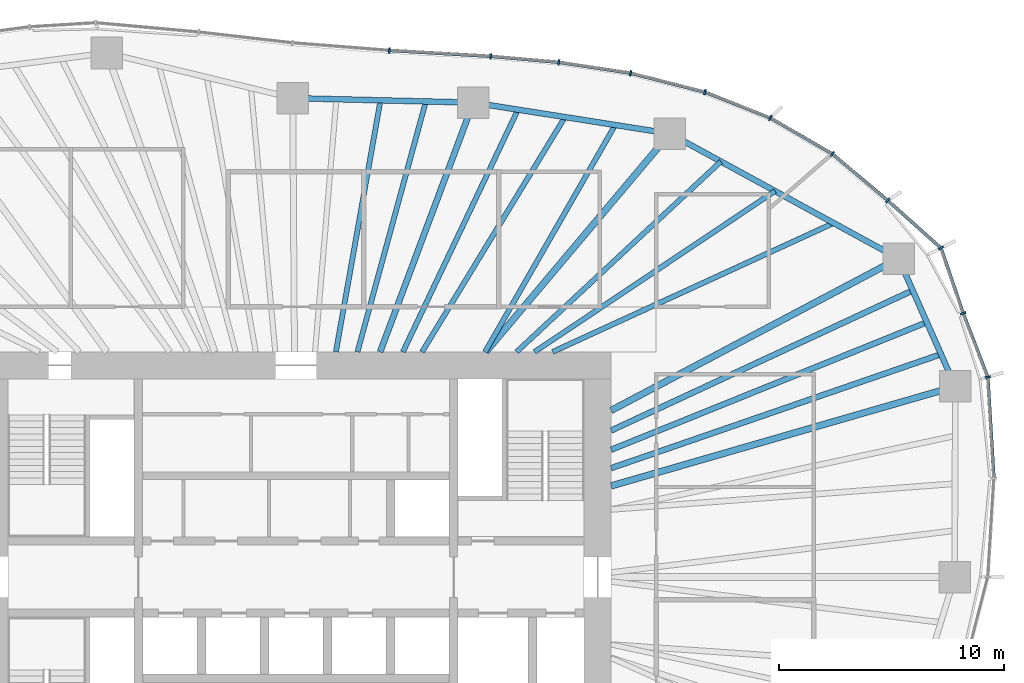
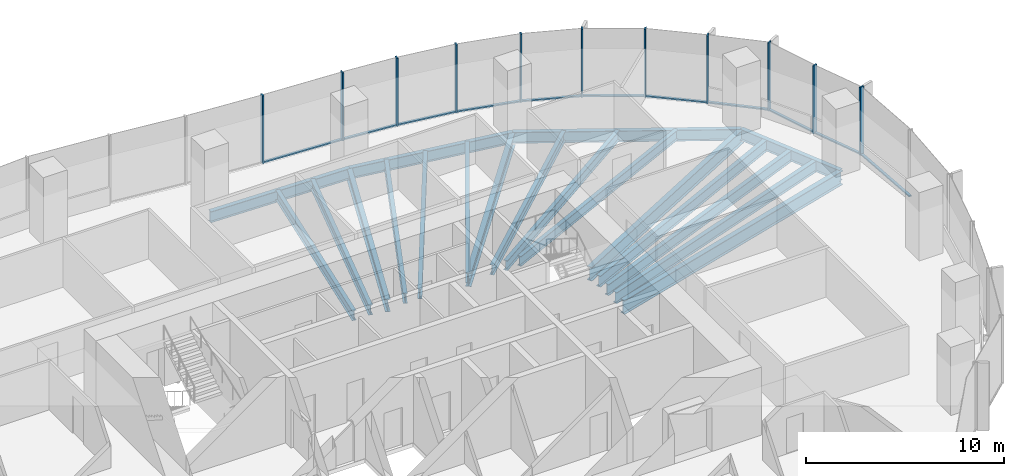
# One storey, part 6 of 18: 22 members, 19 beams, 5 elements without a shape of their own.
"""IFC4 building model written with IfcOpenShell, lengths in metres."""

from ifc_helpers import new_model, si_unit, direction, frame, origin, origin_2d, place, context, subcontext, project, spatial, rectangle, i_section, extrude, material, material_profile, profile_set, type_object, element, aggregate, save


model = new_model("IFC4")

# Units and contexts
model_context = context("Model", 3, precision=1e-05, world=origin(), true_north=direction((0.0, 1.0)))
body_context = subcontext(model_context, "Body", "Model", "MODEL_VIEW")
ifc_project = project(units=[si_unit("LENGTHUNIT", "METRE"), si_unit("AREAUNIT", "SQUARE_METRE"), si_unit("VOLUMEUNIT", "CUBIC_METRE"), si_unit("PLANEANGLEUNIT", "RADIAN"), si_unit("MASSUNIT", "GRAM", prefix="KILO")], contexts=[model_context])

# Site, building, storey
site_placement = place(None, origin())
site = spatial("IfcSite", under=ifc_project, at=site_placement, CompositionType="ELEMENT")
building_placement = place(site_placement, origin())
building = spatial("IfcBuilding", under=site, at=building_placement, Name="Ghaith Harvest Tower", CompositionType="ELEMENT")
storey_placement = place(building_placement, frame((0.0, 0.0, 155.39990234375)))
storey = spatial("IfcBuildingStorey", under=building, at=storey_placement, Name="L33", CompositionType="ELEMENT", Elevation=155.39990234375)

# Curtain wall, members
ifc_material_1 = material(Name="Black anodised aluminium and fritted glass", Category="aluminium")
curtain_wall_type = type_object("IfcCurtainWallType", Name="CW-L CURTAIN WALL", PredefinedType="NOTDEFINED", material=ifc_material_1)
curtain_wall_1_placement = place(storey_placement, origin())
curtain_wall_1 = element("IfcCurtainWall", 1, at=curtain_wall_1_placement, inside=storey, type_object=curtain_wall_type, Name="Curtain wall CW-L bay 02 L33", PredefinedType="NOTDEFINED")
ifc_material_2 = material(Name="Aluminium, black anodised", Category="aluminium")
ifc_material_profile_1 = material_profile(ifc_material_2, rectangle(XDim=0.080078125, YDim=0.239990234375, at=origin_2d()), Name="CW-L MULLION 80x240")
ifc_profile_set_1 = profile_set([ifc_material_profile_1], Name="Aluminium, black anodised")
member_type_1 = type_object("IfcMemberType", Name="CW-L MULLION 80x240", PredefinedType="MULLION", material=ifc_profile_set_1)
member_1_placement = place(storey_placement, frame((30.727294921875, 8.880859375, 0.0), z_axis=(0.0, 0.0, 1.0), x_axis=(-0.183070248196, 0.983099834313, 0.0)))
member_1 = element("IfcMember", 2, at=member_1_placement, type_object=member_type_1, Name="CW-L mullion 1 bay 02 L33", PredefinedType="MULLION", context=body_context, shape_type="SweptSolid", body=[
    extrude(rectangle(XDim=0.080078125, YDim=0.239990234375, at=origin_2d()), origin(), (0.0, 0.0, 1.0), 4.2001953125),
])
member_2_placement = place(storey_placement, frame((29.634521484375, 11.7158203125, 0.0), z_axis=(0.0, 0.0, 1.0), x_axis=(-0.340771198528, 0.940146260033, 0.0)))
member_2 = element("IfcMember", 3, at=member_2_placement, type_object=member_type_1, Name="CW-L mullion 2 bay 02 L33", PredefinedType="MULLION", context=body_context, shape_type="SweptSolid", body=[
    extrude(rectangle(XDim=0.080078125, YDim=0.239990234375, at=origin_2d()), origin(), (0.0, 0.0, 1.0), 4.2001953125),
])
member_3_placement = place(storey_placement, frame((28.64990234375, 14.61181640625, 0.0), z_axis=(0.0, 0.0, 1.0), x_axis=(-0.556324287652, 0.830965274225, 0.0)))
member_3 = element("IfcMember", 4, at=member_3_placement, type_object=member_type_1, Name="CW-L mullion 3 bay 02 L33", PredefinedType="MULLION", context=body_context, shape_type="SweptSolid", body=[
    extrude(rectangle(XDim=0.080078125, YDim=0.239990234375, at=origin_2d()), origin(), (0.0, 0.0, 1.0), 4.2001953125),
])

curtain_wall_2_placement = place(storey_placement, origin())
curtain_wall_2 = element("IfcCurtainWall", 5, at=curtain_wall_2_placement, inside=storey, type_object=curtain_wall_type, Name="Curtain wall CW-L bay 03 L33", PredefinedType="NOTDEFINED")
member_4_placement = place(storey_placement, frame((26.28076171875, 16.725341796875, 0.0), z_axis=(0.0, 0.0, 1.0), x_axis=(-0.755999423268, 0.654572281737, 0.0)))
member_4 = element("IfcMember", 6, at=member_4_placement, type_object=member_type_1, Name="CW-L mullion 1 bay 03 L33", PredefinedType="MULLION", context=body_context, shape_type="SweptSolid", body=[
    extrude(rectangle(XDim=0.080078125, YDim=0.239990234375, at=origin_2d()), origin(), (0.0, 0.0, 1.0), 4.2001953125),
])
member_5_placement = place(storey_placement, frame((23.82177734375, 18.792236328125, 0.0), z_axis=(0.0, 0.0, 1.0), x_axis=(-0.818228862146, 0.574892624018, 0.0)))
member_5 = element("IfcMember", 7, at=member_5_placement, type_object=member_type_1, Name="CW-L mullion 2 bay 03 L33", PredefinedType="MULLION", context=body_context, shape_type="SweptSolid", body=[
    extrude(rectangle(XDim=0.080078125, YDim=0.239990234375, at=origin_2d()), origin(), (0.0, 0.0, 1.0), 4.2001953125),
])
member_6_placement = place(storey_placement, frame((21.066162109375, 20.38916015625, 0.0), z_axis=(0.0, 0.0, 1.0), x_axis=(-0.899713343282, 0.436481270985, 0.0)))
member_6 = element("IfcMember", 8, at=member_6_placement, type_object=member_type_1, Name="CW-L mullion 3 bay 03 L33", PredefinedType="MULLION", context=body_context, shape_type="SweptSolid", body=[
    extrude(rectangle(XDim=0.080078125, YDim=0.239990234375, at=origin_2d()), origin(), (0.0, 0.0, 1.0), 4.2001953125),
])

curtain_wall_3_placement = place(storey_placement, origin())
curtain_wall_3 = element("IfcCurtainWall", 9, at=curtain_wall_3_placement, inside=storey, type_object=curtain_wall_type, Name="Curtain wall CW-L bay 04 L33", PredefinedType="NOTDEFINED")
member_7_placement = place(storey_placement, frame((18.162353515625, 21.537841796875, 0.0), z_axis=(0.0, 0.0, 1.0), x_axis=(-0.952152258113, 0.30562407852, 0.0)))
member_7 = element("IfcMember", 10, at=member_7_placement, type_object=member_type_1, Name="CW-L mullion 1 bay 04 L33", PredefinedType="MULLION", context=body_context, shape_type="SweptSolid", body=[
    extrude(rectangle(XDim=0.080078125, YDim=0.239990234375, at=origin_2d()), origin(), (0.0, 0.0, 1.0), 4.2001953125),
])
member_8_placement = place(storey_placement, frame((14.86474609375, 22.379638671875, 0.0), z_axis=(0.0, 0.0, 1.0), x_axis=(-0.979751952122, 0.200215165041, 0.0)))
member_8 = element("IfcMember", 11, at=member_8_placement, type_object=member_type_1, Name="CW-L mullion 2 bay 04 L33", PredefinedType="MULLION", context=body_context, shape_type="SweptSolid", body=[
    extrude(rectangle(XDim=0.080078125, YDim=0.239990234375, at=origin_2d()), origin(), (0.0, 0.0, 1.0), 4.2001953125),
])
member_9_placement = place(storey_placement, frame((11.672607421875, 22.864013671875, 0.0), z_axis=(0.0, 0.0, 1.0), x_axis=(-0.992800497873, 0.119779678673, 0.0)))
member_9 = element("IfcMember", 12, at=member_9_placement, type_object=member_type_1, Name="CW-L mullion 3 bay 04 L33", PredefinedType="MULLION", context=body_context, shape_type="SweptSolid", body=[
    extrude(rectangle(XDim=0.080078125, YDim=0.239990234375, at=origin_2d()), origin(), (0.0, 0.0, 1.0), 4.2001953125),
])

curtain_wall_4_placement = place(storey_placement, origin())
curtain_wall_4 = element("IfcCurtainWall", 13, at=curtain_wall_4_placement, inside=storey, type_object=curtain_wall_type, Name="Curtain wall CW-L bay 05 L33", PredefinedType="NOTDEFINED")
member_10_placement = place(storey_placement, frame((8.646728515625, 23.1298828125, 0.0), z_axis=(0.0, 0.0, 1.0), x_axis=(-0.997558767319, 0.069831982257, 0.0)))
member_10 = element("IfcMember", 14, at=member_10_placement, type_object=member_type_1, Name="CW-L mullion 1 bay 05 L33", PredefinedType="MULLION", context=body_context, shape_type="SweptSolid", body=[
    extrude(rectangle(XDim=0.080078125, YDim=0.239990234375, at=origin_2d()), origin(), (0.0, 0.0, 1.0), 4.2001953125),
])
member_11_placement = place(storey_placement, frame((4.146728515625, 23.390869140625, 0.0), z_axis=(0.0, 0.0, 1.0), x_axis=(-0.997689895047, 0.067932858925, 0.0)))
member_11 = element("IfcMember", 15, at=member_11_placement, type_object=member_type_1, Name="CW-L mullion 2 bay 05 L33", PredefinedType="MULLION", context=body_context, shape_type="SweptSolid", body=[
    extrude(rectangle(XDim=0.080078125, YDim=0.239990234375, at=origin_2d()), origin(), (0.0, 0.0, 1.0), 4.2001953125),
])

# Curtain wall, member
curtain_wall_5_placement = place(storey_placement, origin())
curtain_wall_5 = element("IfcCurtainWall", 16, at=curtain_wall_5_placement, inside=storey, type_object=curtain_wall_type, Name="Curtain wall CW-L bay 01 L33", PredefinedType="NOTDEFINED")
ifc_material_3 = material(Name="Aluminium, black anodised", Category="aluminium")
ifc_material_profile_2 = material_profile(ifc_material_3, rectangle(XDim=0.14990234375, YDim=0.080078125, at=origin_2d()), Name="CW-L TRANSOM 150x80")
ifc_profile_set_2 = profile_set([ifc_material_profile_2], Name="Aluminium, black anodised")
member_type_2 = type_object("IfcMemberType", Name="CW-L TRANSOM 150x80", PredefinedType="USERDEFINED", material=ifc_profile_set_2)
member_12_placement = place(storey_placement, frame((30.996337890625, 4.4296875, 0.0400390625), z_axis=(-0.060328261132, 0.99817859169, 0.0), x_axis=(-0.99817859169, -0.060328261132, 0.0)))
member_12 = element("IfcMember", 17, at=member_12_placement, type_object=member_type_2, Name="CW-L transom 2 bay 01 L33", ObjectType="TRANSOM", PredefinedType="USERDEFINED", context=body_context, shape_type="SweptSolid", body=[
    extrude(rectangle(XDim=0.14990234375, YDim=0.080078125, at=origin_2d()), origin(), (0.0, 0.0, 1.0), 4.419189453125),
])
aggregate(curtain_wall_5, [member_12])

# Member
member_13_placement = place(storey_placement, frame((30.712890625, 8.918212890625, 0.0400390625), z_axis=(-0.359637050526, 0.933092274048, 0.0), x_axis=(-0.933092274048, -0.359637050526, 0.0)))
member_13 = element("IfcMember", 18, at=member_13_placement, type_object=member_type_2, Name="CW-L transom 1 bay 02 L33", ObjectType="TRANSOM", PredefinedType="USERDEFINED", context=body_context, shape_type="SweptSolid", body=[
    extrude(rectangle(XDim=0.14990234375, YDim=0.080078125, at=origin_2d()), origin(), (0.0, 0.0, 1.0), 2.95849609375),
])

member_14_placement = place(storey_placement, frame((29.62158203125, 11.75390625, 0.0400390625), z_axis=(-0.321877752664, 0.946781237847, 0.0), x_axis=(-0.946781237847, -0.321877752664, 0.0)))
member_14 = element("IfcMember", 19, at=member_14_placement, type_object=member_type_2, Name="CW-L transom 2 bay 02 L33", ObjectType="TRANSOM", PredefinedType="USERDEFINED", context=body_context, shape_type="SweptSolid", body=[
    extrude(rectangle(XDim=0.14990234375, YDim=0.080078125, at=origin_2d()), origin(), (0.0, 0.0, 1.0), 2.978515625),
])

member_15_placement = place(storey_placement, frame((28.6201171875, 14.638427734375, 0.0400390625), z_axis=(-0.74622871112, 0.665689650438, 0.0), x_axis=(-0.665689650438, -0.74622871112, 0.0)))
member_15 = element("IfcMember", 20, at=member_15_placement, type_object=member_type_2, Name="CW-L transom 3 bay 02 L33", ObjectType="TRANSOM", PredefinedType="USERDEFINED", context=body_context, shape_type="SweptSolid", body=[
    extrude(rectangle(XDim=0.14990234375, YDim=0.080078125, at=origin_2d()), origin(), (0.0, 0.0, 1.0), 3.094970703125),
])

aggregate(curtain_wall_1, [member_1, member_13, member_2, member_14, member_3, member_15])

member_16_placement = place(storey_placement, frame((26.25, 16.7509765625, 0.0400390625), z_axis=(-0.765428400685, 0.643521066808, 0.0), x_axis=(-0.643521066808, -0.765428400685, 0.0)))
member_16 = element("IfcMember", 21, at=member_16_placement, type_object=member_type_2, Name="CW-L transom 1 bay 03 L33", ObjectType="TRANSOM", PredefinedType="USERDEFINED", context=body_context, shape_type="SweptSolid", body=[
    extrude(rectangle(XDim=0.14990234375, YDim=0.080078125, at=origin_2d()), origin(), (0.0, 0.0, 1.0), 3.132080078125),
])

member_17_placement = place(storey_placement, frame((23.787353515625, 18.812255859375, 0.0400390625), z_axis=(-0.865212673937, 0.50140505468, 0.0), x_axis=(-0.50140505468, -0.865212673937, 0.0)))
member_17 = element("IfcMember", 22, at=member_17_placement, type_object=member_type_2, Name="CW-L transom 2 bay 03 L33", ObjectType="TRANSOM", PredefinedType="USERDEFINED", context=body_context, shape_type="SweptSolid", body=[
    extrude(rectangle(XDim=0.14990234375, YDim=0.080078125, at=origin_2d()), origin(), (0.0, 0.0, 1.0), 3.10498046875),
])

member_18_placement = place(storey_placement, frame((21.029052734375, 20.40380859375, 0.0400390625), z_axis=(-0.929880954826, 0.367860584804, 0.0), x_axis=(-0.367860584804, -0.929880954826, 0.0)))
member_18 = element("IfcMember", 23, at=member_18_placement, type_object=member_type_2, Name="CW-L transom 3 bay 03 L33", ObjectType="TRANSOM", PredefinedType="USERDEFINED", context=body_context, shape_type="SweptSolid", body=[
    extrude(rectangle(XDim=0.14990234375, YDim=0.080078125, at=origin_2d()), origin(), (0.0, 0.0, 1.0), 3.04296875),
])

aggregate(curtain_wall_2, [member_4, member_16, member_5, member_17, member_6, member_18])

member_19_placement = place(storey_placement, frame((18.12353515625, 21.5478515625, 0.0400390625), z_axis=(-0.968942433805, 0.247286392614, 0.0), x_axis=(-0.247286392614, -0.968942433805, 0.0)))
member_19 = element("IfcMember", 24, at=member_19_placement, type_object=member_type_2, Name="CW-L transom 1 bay 04 L33", ObjectType="TRANSOM", PredefinedType="USERDEFINED", context=body_context, shape_type="SweptSolid", body=[
    extrude(rectangle(XDim=0.14990234375, YDim=0.080078125, at=origin_2d()), origin(), (0.0, 0.0, 1.0), 3.3232421875),
])

member_20_placement = place(storey_placement, frame((14.8251953125, 22.3857421875, 0.0400390625), z_axis=(-0.988680676153, 0.150035064572, 0.0), x_axis=(-0.150035064572, -0.988680676153, 0.0)))
member_20 = element("IfcMember", 25, at=member_20_placement, type_object=member_type_2, Name="CW-L transom 2 bay 04 L33", ObjectType="TRANSOM", PredefinedType="USERDEFINED", context=body_context, shape_type="SweptSolid", body=[
    extrude(rectangle(XDim=0.14990234375, YDim=0.080078125, at=origin_2d()), origin(), (0.0, 0.0, 1.0), 3.148681640625),
])

member_21_placement = place(storey_placement, frame((11.632568359375, 22.86767578125, 0.0400390625), z_axis=(-0.996171193061, 0.087423990507, 0.0), x_axis=(-0.087423990507, -0.996171193061, 0.0)))
member_21 = element("IfcMember", 26, at=member_21_placement, type_object=member_type_2, Name="CW-L transom 3 bay 04 L33", ObjectType="TRANSOM", PredefinedType="USERDEFINED", context=body_context, shape_type="SweptSolid", body=[
    extrude(rectangle(XDim=0.14990234375, YDim=0.080078125, at=origin_2d()), origin(), (0.0, 0.0, 1.0), 2.957275390625),
])

aggregate(curtain_wall_3, [member_7, member_19, member_8, member_20, member_9, member_21])

member_22_placement = place(storey_placement, frame((8.60693359375, 23.132080078125, 0.0400390625), z_axis=(-0.998319515187, 0.057949509028, 0.0), x_axis=(-0.057949509028, -0.998319515187, 0.0)))
member_22 = element("IfcMember", 27, at=member_22_placement, type_object=member_type_2, Name="CW-L transom 1 bay 05 L33", ObjectType="TRANSOM", PredefinedType="USERDEFINED", context=body_context, shape_type="SweptSolid", body=[
    extrude(rectangle(XDim=0.14990234375, YDim=0.080078125, at=origin_2d()), origin(), (0.0, 0.0, 1.0), 4.427734375),
])

aggregate(curtain_wall_4, [member_10, member_22, member_11])

# Beams
ifc_material_4 = material(Name="Steel ASTM A992 Grade 50", Category="steel")
ifc_material_profile_3 = material_profile(ifc_material_4, i_section(OverallWidth=0.25390625, OverallDepth=0.68408203125, WebThickness=0.012451171875, FlangeThickness=0.018798828125, at=origin_2d()), Name="W690X140")
ifc_profile_set_3 = profile_set([ifc_material_profile_3], Name="Steel ASTM A992 Grade 50")
beam_type_1 = type_object("IfcBeamType", Name="E690-140 W690X140", PredefinedType="SPANDREL", material=ifc_profile_set_3)
beam_1_placement = place(storey_placement, frame((29.285888671875, 8.464111328125, -0.511962890625), z_axis=(-0.405635615749, 0.914034872002, 0.0), x_axis=(-0.914034872002, -0.405635615749, 0.0)))
element("IfcBeam", 28, at=beam_1_placement, inside=storey, type_object=beam_type_1, Name="Edge beam E02 L33", PredefinedType="SPANDREL", context=body_context, shape_type="SweptSolid", body=[
    extrude(i_section(OverallWidth=0.25390625, OverallDepth=0.68408203125, WebThickness=0.012451171875, FlangeThickness=0.018798828125, at=origin_2d()), origin(), (0.0, 0.0, 1.0), 6.21728515625),
])
beam_2_placement = place(storey_placement, frame((26.763916015625, 14.14697265625, -0.511962890625), z_axis=(-0.877588218279, 0.479415184509, 0.0), x_axis=(-0.479415184509, -0.877588218279, 0.0)))
element("IfcBeam", 29, at=beam_2_placement, inside=storey, type_object=beam_type_1, Name="Edge beam E03 L33", PredefinedType="SPANDREL", context=body_context, shape_type="SweptSolid", body=[
    extrude(i_section(OverallWidth=0.25390625, OverallDepth=0.68408203125, WebThickness=0.012451171875, FlangeThickness=0.018798828125, at=origin_2d()), origin(), (0.0, 0.0, 1.0), 11.57275390625),
])
beam_3_placement = place(storey_placement, frame((16.60791015625, 19.695068359375, -0.511962890625), z_axis=(-0.987788485872, 0.155800857439, 0.0), x_axis=(-0.155800857439, -0.987788485872, 0.0)))
element("IfcBeam", 30, at=beam_3_placement, inside=storey, type_object=beam_type_1, Name="Edge beam E04 L33", PredefinedType="SPANDREL", context=body_context, shape_type="SweptSolid", body=[
    extrude(i_section(OverallWidth=0.25390625, OverallDepth=0.68408203125, WebThickness=0.012451171875, FlangeThickness=0.018798828125, at=origin_2d()), origin(), (0.0, 0.0, 1.0), 8.837890625),
])
beam_4_placement = place(storey_placement, frame((7.8779296875, 21.072021484375, -0.511962890625), z_axis=(-0.999692679676, 0.024790042413, 0.0), x_axis=(-0.024790042413, -0.999692679676, 0.0)))
element("IfcBeam", 31, at=beam_4_placement, inside=storey, type_object=beam_type_1, Name="Edge beam E05 L33", PredefinedType="SPANDREL", context=body_context, shape_type="SweptSolid", body=[
    extrude(i_section(OverallWidth=0.25390625, OverallDepth=0.68408203125, WebThickness=0.012451171875, FlangeThickness=0.018798828125, at=origin_2d()), origin(), (0.0, 0.0, 1.0), 8.0263671875),
])
ifc_material_5 = material(Name="Steel ASTM A992 Grade 50", Category="steel")
ifc_material_profile_4 = material_profile(ifc_material_5, i_section(OverallWidth=0.26806640625, OverallDepth=0.77001953125, WebThickness=0.015625, FlangeThickness=0.025390625, at=origin_2d()), Name="W760X196")
ifc_profile_set_4 = profile_set([ifc_material_profile_4], Name="Steel ASTM A992 Grade 50")
beam_type_2 = type_object("IfcBeamType", Name="G760-196 W760X196", PredefinedType="BEAM", material=ifc_profile_set_4)
beam_5_placement = place(storey_placement, frame((3.73828125, 10.0, -0.554931640625), z_axis=(0.350206582147, 0.936672488024, 0.0), x_axis=(-0.936672488024, 0.350206582147, 0.0)))
element("IfcBeam", 32, at=beam_5_placement, inside=storey, type_object=beam_type_2, Name="Radial girder G05 L33", PredefinedType="BEAM", context=body_context, shape_type="SweptSolid", body=[
    extrude(i_section(OverallWidth=0.26806640625, OverallDepth=0.77001953125, WebThickness=0.015625, FlangeThickness=0.025390625, at=origin_2d()), origin(), (0.0, 0.0, 1.0), 11.820556640625),
])
ifc_material_6 = material(Name="Steel ASTM A992 Grade 50", Category="steel")
ifc_material_profile_5 = material_profile(ifc_material_6, i_section(OverallWidth=0.2939453125, OverallDepth=0.85107421875, WebThickness=0.01611328125, FlangeThickness=0.02685546875, at=origin_2d()), Name="W840X226")
ifc_profile_set_5 = profile_set([ifc_material_profile_5], Name="Steel ASTM A992 Grade 50")
beam_type_3 = type_object("IfcBeamType", Name="G840-226 W840X226", PredefinedType="BEAM", material=ifc_profile_set_5)
beam_6_placement = place(storey_placement, frame((14.0, 4.04638671875, -0.595458984375), z_axis=(0.960683993303, 0.27764413376, 0.0), x_axis=(-0.27764413376, 0.960683993303, 0.0)))
element("IfcBeam", 33, at=beam_6_placement, inside=storey, type_object=beam_type_3, Name="Radial girder G02 L33", PredefinedType="BEAM", context=body_context, shape_type="SweptSolid", body=[
    extrude(i_section(OverallWidth=0.2939453125, OverallDepth=0.85107421875, WebThickness=0.01611328125, FlangeThickness=0.02685546875, at=origin_2d()), origin(), (0.0, 0.0, 1.0), 15.911376953125),
])
beam_7_placement = place(storey_placement, frame((14.0, 7.39990234375, -0.595458984375), z_axis=(0.884082663971, 0.467330550324, 0.0), x_axis=(-0.467330550324, 0.884082663971, 0.0)))
element("IfcBeam", 34, at=beam_7_placement, inside=storey, type_object=beam_type_3, Name="Radial girder G03 L33", PredefinedType="BEAM", context=body_context, shape_type="SweptSolid", body=[
    extrude(i_section(OverallWidth=0.2939453125, OverallDepth=0.85107421875, WebThickness=0.01611328125, FlangeThickness=0.02685546875, at=origin_2d()), origin(), (0.0, 0.0, 1.0), 14.4375),
])
beam_8_placement = place(storey_placement, frame((8.4326171875, 10.0, -0.595458984375), z_axis=(0.644644245772, 0.764482698557, 0.0), x_axis=(-0.764482698557, 0.644644245772, 0.0)))
element("IfcBeam", 35, at=beam_8_placement, inside=storey, type_object=beam_type_3, Name="Radial girder G04 L33", PredefinedType="BEAM", context=body_context, shape_type="SweptSolid", body=[
    extrude(i_section(OverallWidth=0.2939453125, OverallDepth=0.85107421875, WebThickness=0.01611328125, FlangeThickness=0.02685546875, at=origin_2d()), origin(), (0.0, 0.0, 1.0), 12.681884765625),
])
ifc_material_7 = material(Name="Steel ASTM A992 Grade 50", Category="steel")
ifc_material_profile_6 = material_profile(ifc_material_7, i_section(OverallWidth=0.22900390625, OverallDepth=0.612060546875, WebThickness=0.011962890625, FlangeThickness=0.01953125, at=origin_2d()), Name="W610X125")
ifc_profile_set_6 = profile_set([ifc_material_profile_6], Name="Steel ASTM A992 Grade 50")
beam_type_4 = type_object("IfcBeamType", Name="J610-125 W610X125", PredefinedType="JOIST", material=ifc_profile_set_6)
beam_9_placement = place(storey_placement, frame((11.39990234375, 10.0, -0.475830078125), z_axis=(0.909014022454, 0.416765529983, 0.0), x_axis=(-0.416765529983, 0.909014022454, 0.0)))
element("IfcBeam", 36, at=beam_9_placement, inside=storey, type_object=beam_type_4, Name="Joist J03.1 L33", PredefinedType="JOIST", context=body_context, shape_type="SweptSolid", body=[
    extrude(i_section(OverallWidth=0.22900390625, OverallDepth=0.612060546875, WebThickness=0.011962890625, FlangeThickness=0.01953125, at=origin_2d()), origin(), (0.0, 0.0, 1.0), 13.72998046875),
])
beam_10_placement = place(storey_placement, frame((10.60009765625, 10.0, -0.475830078125), z_axis=(0.831116486766, 0.556098359489, 0.0), x_axis=(-0.556098359489, 0.831116486766, 0.0)))
element("IfcBeam", 37, at=beam_10_placement, inside=storey, type_object=beam_type_4, Name="Joist J03.2 L33", PredefinedType="JOIST", context=body_context, shape_type="SweptSolid", body=[
    extrude(i_section(OverallWidth=0.22900390625, OverallDepth=0.612060546875, WebThickness=0.011962890625, FlangeThickness=0.01953125, at=origin_2d()), origin(), (0.0, 0.0, 1.0), 12.84716796875),
])
beam_11_placement = place(storey_placement, frame((9.800048828125, 10.0, -0.475830078125), z_axis=(0.731538123562, 0.681800538116, 0.0), x_axis=(-0.681800538116, 0.731538123562, 0.0)))
element("IfcBeam", 38, at=beam_11_placement, inside=storey, type_object=beam_type_4, Name="Joist J03.3 L33", PredefinedType="JOIST", context=body_context, shape_type="SweptSolid", body=[
    extrude(i_section(OverallWidth=0.22900390625, OverallDepth=0.612060546875, WebThickness=0.011962890625, FlangeThickness=0.01953125, at=origin_2d()), origin(), (0.0, 0.0, 1.0), 12.404052734375),
])
beam_12_placement = place(storey_placement, frame((8.39990234375, 10.0, -0.475830078125), z_axis=(0.497444212127, 0.867495968764, 0.0), x_axis=(-0.867495968764, 0.497444212127, 0.0)))
element("IfcBeam", 39, at=beam_12_placement, inside=storey, type_object=beam_type_4, Name="Joist J04.1 L33", PredefinedType="JOIST", context=body_context, shape_type="SweptSolid", body=[
    extrude(i_section(OverallWidth=0.22900390625, OverallDepth=0.612060546875, WebThickness=0.011962890625, FlangeThickness=0.01953125, at=origin_2d()), origin(), (0.0, 0.0, 1.0), 11.617431640625),
])
beam_13_placement = place(storey_placement, frame((5.60009765625, 10.0, -0.475830078125), z_axis=(0.519863845761, 0.854249133374, 0.0), x_axis=(-0.854249133374, 0.519863845761, 0.0)))
element("IfcBeam", 40, at=beam_13_placement, inside=storey, type_object=beam_type_4, Name="Joist J04.2 L33", PredefinedType="JOIST", context=body_context, shape_type="SweptSolid", body=[
    extrude(i_section(OverallWidth=0.22900390625, OverallDepth=0.612060546875, WebThickness=0.011962890625, FlangeThickness=0.01953125, at=origin_2d()), origin(), (0.0, 0.0, 1.0), 12.209716796875),
])
beam_14_placement = place(storey_placement, frame((4.75, 10.0, -0.475830078125), z_axis=(0.429069356877, 0.903271546651, 0.0), x_axis=(-0.903271546651, 0.429069356877, 0.0)))
element("IfcBeam", 41, at=beam_14_placement, inside=storey, type_object=beam_type_4, Name="Joist J04.3 L33", PredefinedType="JOIST", context=body_context, shape_type="SweptSolid", body=[
    extrude(i_section(OverallWidth=0.22900390625, OverallDepth=0.612060546875, WebThickness=0.011962890625, FlangeThickness=0.01953125, at=origin_2d()), origin(), (0.0, 0.0, 1.0), 11.911376953125),
])
beam_15_placement = place(storey_placement, frame((2.73095703125, 10.0, -0.475830078125), z_axis=(0.263455967932, 0.964671422279, 0.0), x_axis=(-0.964671422279, 0.263455967932, 0.0)))
element("IfcBeam", 42, at=beam_15_placement, inside=storey, type_object=beam_type_4, Name="Joist J05.1 L33", PredefinedType="JOIST", context=body_context, shape_type="SweptSolid", body=[
    extrude(i_section(OverallWidth=0.22900390625, OverallDepth=0.612060546875, WebThickness=0.011962890625, FlangeThickness=0.01953125, at=origin_2d()), origin(), (0.0, 0.0, 1.0), 11.53173828125),
])
beam_16_placement = place(storey_placement, frame((1.772705078125, 10.0, -0.475830078125), z_axis=(0.17455599258, 0.984647249249, 0.0), x_axis=(-0.984647249249, 0.17455599258, 0.0)))
element("IfcBeam", 43, at=beam_16_placement, inside=storey, type_object=beam_type_4, Name="Joist J05.2 L33", PredefinedType="JOIST", context=body_context, shape_type="SweptSolid", body=[
    extrude(i_section(OverallWidth=0.22900390625, OverallDepth=0.612060546875, WebThickness=0.011962890625, FlangeThickness=0.01953125, at=origin_2d()), origin(), (0.0, 0.0, 1.0), 11.3486328125),
])
ifc_material_8 = material(Name="Steel ASTM A992 Grade 50", Category="steel")
ifc_material_profile_7 = material_profile(ifc_material_8, i_section(OverallWidth=0.25390625, OverallDepth=0.68408203125, WebThickness=0.012451171875, FlangeThickness=0.018798828125, at=origin_2d()), Name="W690X140")
ifc_profile_set_7 = profile_set([ifc_material_profile_7], Name="Steel ASTM A992 Grade 50")
beam_type_5 = type_object("IfcBeamType", Name="J690-140 W690X140", PredefinedType="JOIST", material=ifc_profile_set_7)
beam_17_placement = place(storey_placement, frame((14.0, 4.835693359375, -0.511962890625), z_axis=(0.945204964965, 0.32647752481, 0.0), x_axis=(-0.32647752481, 0.945204964965, 0.0)))
element("IfcBeam", 44, at=beam_17_placement, inside=storey, type_object=beam_type_5, Name="Joist J02.1 L33", PredefinedType="JOIST", context=body_context, shape_type="SweptSolid", body=[
    extrude(i_section(OverallWidth=0.25390625, OverallDepth=0.68408203125, WebThickness=0.012451171875, FlangeThickness=0.018798828125, at=origin_2d()), origin(), (0.0, 0.0, 1.0), 15.499755859375),
])
beam_18_placement = place(storey_placement, frame((14.0, 5.653564453125, -0.511962890625), z_axis=(0.927247874511, 0.374448099495, 0.0), x_axis=(-0.374448099495, 0.927247874511, 0.0)))
element("IfcBeam", 45, at=beam_18_placement, inside=storey, type_object=beam_type_5, Name="Joist J02.2 L33", PredefinedType="JOIST", context=body_context, shape_type="SweptSolid", body=[
    extrude(i_section(OverallWidth=0.25390625, OverallDepth=0.68408203125, WebThickness=0.012451171875, FlangeThickness=0.018798828125, at=origin_2d()), origin(), (0.0, 0.0, 1.0), 15.12060546875),
])
beam_19_placement = place(storey_placement, frame((14.0, 6.506103515625, -0.511962890625), z_axis=(0.906865717917, 0.42141970726, 0.0), x_axis=(-0.42141970726, 0.906865717917, 0.0)))
element("IfcBeam", 46, at=beam_19_placement, inside=storey, type_object=beam_type_5, Name="Joist J02.3 L33", PredefinedType="JOIST", context=body_context, shape_type="SweptSolid", body=[
    extrude(i_section(OverallWidth=0.25390625, OverallDepth=0.68408203125, WebThickness=0.012451171875, FlangeThickness=0.018798828125, at=origin_2d()), origin(), (0.0, 0.0, 1.0), 14.768310546875),
])

save(model, "model.ifc")
